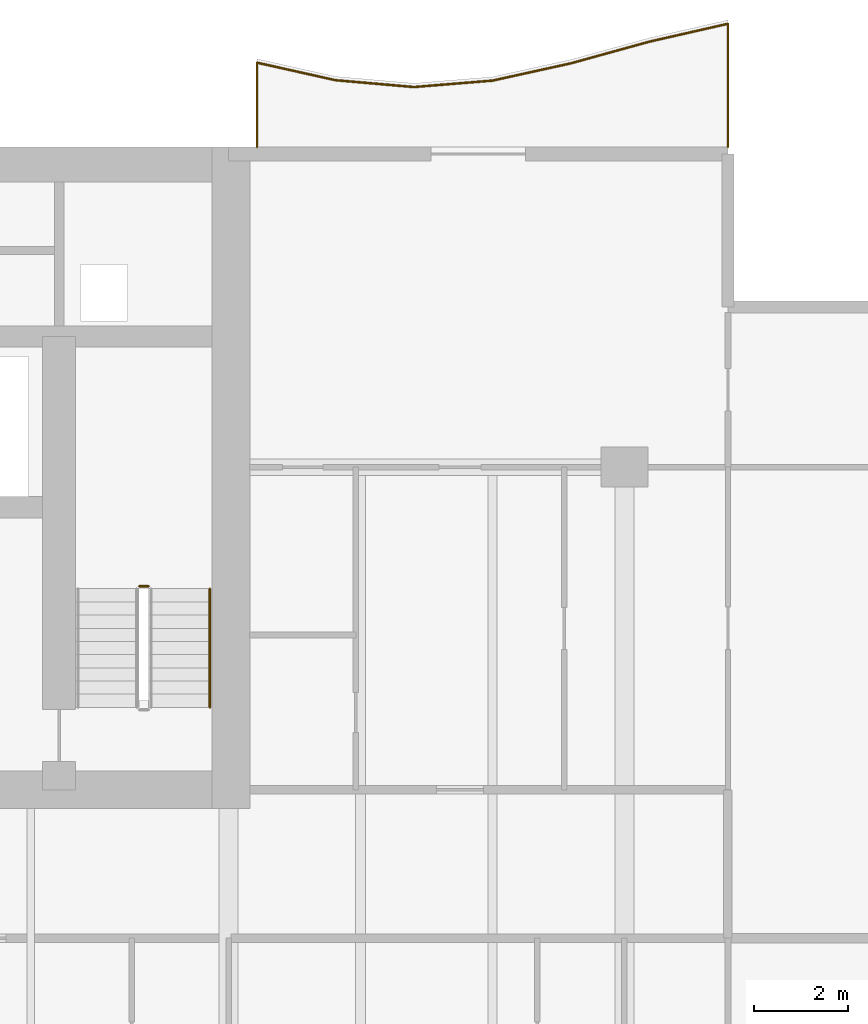
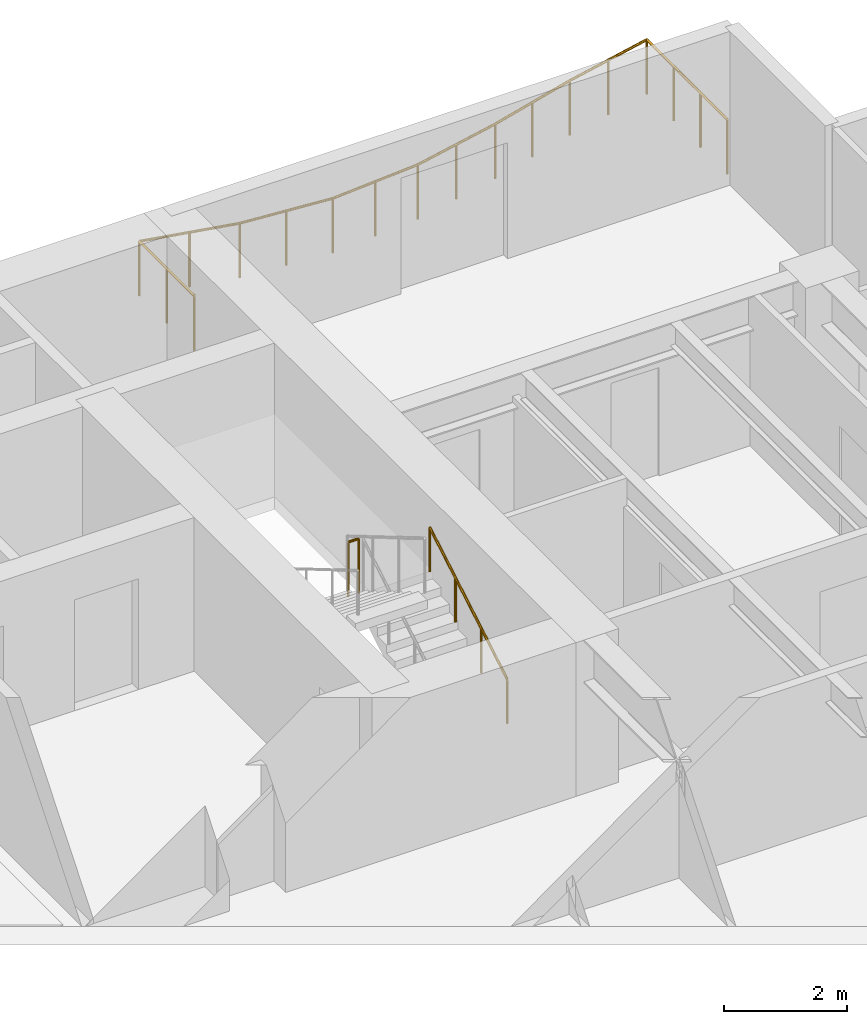
# One storey, part 18 of 19: 3 railings.
"""IFC4 building model written with IfcOpenShell, lengths in metres."""

from ifc_helpers import new_model, si_unit, direction, frame, origin, origin_2d, place, context, subcontext, project, spatial, circle, extrude, material, type_object, element, save


model = new_model("IFC4")

# Units and contexts
model_context = context("Model", 3, precision=1e-05, world=origin(), true_north=direction((0.0, 1.0)))
body_context = subcontext(model_context, "Body", "Model", "MODEL_VIEW")
ifc_project = project(units=[si_unit("LENGTHUNIT", "METRE"), si_unit("AREAUNIT", "SQUARE_METRE"), si_unit("VOLUMEUNIT", "CUBIC_METRE"), si_unit("PLANEANGLEUNIT", "RADIAN"), si_unit("MASSUNIT", "GRAM", prefix="KILO")], contexts=[model_context])

# Site, building, storey
site_placement = place(None, origin())
site = spatial("IfcSite", under=ifc_project, at=site_placement, CompositionType="ELEMENT")
building_placement = place(site_placement, origin())
building = spatial("IfcBuilding", under=site, at=building_placement, Name="Caelmar Bay Residences", CompositionType="ELEMENT")
storey_placement = place(building_placement, frame((0.0, 0.0, 91.199951171875)))
storey = spatial("IfcBuildingStorey", under=building, at=storey_placement, Name="L24", CompositionType="ELEMENT", Elevation=91.199951171875)

# Railings
ifc_material_1 = material(Name="Anodised bronze handrail with laminated hurricane glass infill", Category="glass")
railing_type_1 = type_object("IfcRailingType", Name="RL-BAL-1100", PredefinedType="BALUSTRADE", material=ifc_material_1)
railing_1_placement = place(storey_placement, frame((70.10009765625, 50.60009765625, 0.0)))
element("IfcRailing", 1, at=railing_1_placement, inside=storey, type_object=railing_type_1, Name="L24 north_east Balcony Balustrade", PredefinedType="BALUSTRADE", context=body_context, shape_type="SweptSolid", body=[
    extrude(circle(Radius=0.02392578125, at=origin_2d()), frame((0.0, 0.0, 1.076171875), z_axis=(0.0, 1.0, 0.0), x_axis=(-1.0, 0.0, 0.0)), (0.0, 0.0, 1.0), 2.61328125),
    extrude(circle(Radius=0.02392578125, at=origin_2d()), frame((0.0, 2.61328125, 1.076171875), z_axis=(-0.97505844271, -0.22194826717, 0.0), x_axis=(0.22194826717, -0.97505844271, 0.0)), (0.0, 0.0, 1.0), 1.70947265625),
    extrude(circle(Radius=0.02392578125, at=origin_2d()), frame((-1.666748046875, 2.23388671875, 1.076171875), z_axis=(-0.963967650546, -0.266019489326, 0.0), x_axis=(0.266019489326, -0.963967650546, 0.0)), (0.0, 0.0, 1.0), 1.72900390625),
    extrude(circle(Radius=0.02392578125, at=origin_2d()), frame((-3.33349609375, 1.77392578125, 1.076171875), z_axis=(-0.97654589597, -0.215309342724, 0.0), x_axis=(0.215309342724, -0.97654589597, 0.0)), (0.0, 0.0, 1.0), 1.70654296875),
    extrude(circle(Radius=0.02392578125, at=origin_2d()), frame((-5.0, 1.406494140625, 1.076171875), z_axis=(-0.996664532496, -0.081607656901, 0.0), x_axis=(0.081607656901, -0.996664532496, 0.0)), (0.0, 0.0, 1.0), 1.67236328125),
    extrude(circle(Radius=0.02392578125, at=origin_2d()), frame((-6.666748046875, 1.27001953125, 1.076171875), z_axis=(-0.99622359479, 0.08682481894, 0.0), x_axis=(-0.08682481894, -0.99622359479, 0.0)), (0.0, 0.0, 1.0), 1.673095703125),
    extrude(circle(Radius=0.02392578125, at=origin_2d()), frame((-8.33349609375, 1.415283203125, 1.076171875), z_axis=(-0.975879974699, 0.21830775291, 0.0), x_axis=(-0.21830775291, -0.975879974699, 0.0)), (0.0, 0.0, 1.0), 1.707763671875),
    extrude(circle(Radius=0.02392578125, at=origin_2d()), frame((-10.0, 1.7880859375, 1.076171875), z_axis=(0.0, -1.0, 0.0), x_axis=(1.0, 0.0, 0.0)), (0.0, 0.0, 1.0), 1.7880859375),
    extrude(circle(Radius=0.02099609375, at=origin_2d()), origin(), (0.0, 0.0, 1.0), 1.052001953125),
    extrude(circle(Radius=0.02099609375, at=origin_2d()), frame((0.0, 0.87109375, 0.0)), (0.0, 0.0, 1.0), 1.052001953125),
    extrude(circle(Radius=0.02099609375, at=origin_2d()), frame((0.0, 1.7421875, 0.0)), (0.0, 0.0, 1.0), 1.052001953125),
    extrude(circle(Radius=0.02099609375, at=origin_2d()), frame((0.0, 2.61328125, 0.0)), (0.0, 0.0, 1.0), 1.052001953125),
    extrude(circle(Radius=0.02099609375, at=origin_2d()), frame((-0.83349609375, 2.423583984375, 0.0)), (0.0, 0.0, 1.0), 1.052001953125),
    extrude(circle(Radius=0.02099609375, at=origin_2d()), frame((-1.666748046875, 2.23388671875, 0.0)), (0.0, 0.0, 1.0), 1.052001953125),
    extrude(circle(Radius=0.02099609375, at=origin_2d()), frame((-2.5, 2.00390625, 0.0)), (0.0, 0.0, 1.0), 1.052001953125),
    extrude(circle(Radius=0.02099609375, at=origin_2d()), frame((-3.33349609375, 1.77392578125, 0.0)), (0.0, 0.0, 1.0), 1.052001953125),
    extrude(circle(Radius=0.02099609375, at=origin_2d()), frame((-4.166748046875, 1.59033203125, 0.0)), (0.0, 0.0, 1.0), 1.052001953125),
    extrude(circle(Radius=0.02099609375, at=origin_2d()), frame((-5.0, 1.406494140625, 0.0)), (0.0, 0.0, 1.0), 1.052001953125),
    extrude(circle(Radius=0.02099609375, at=origin_2d()), frame((-5.83349609375, 1.33837890625, 0.0)), (0.0, 0.0, 1.0), 1.052001953125),
    extrude(circle(Radius=0.02099609375, at=origin_2d()), frame((-6.666748046875, 1.27001953125, 0.0)), (0.0, 0.0, 1.0), 1.052001953125),
    extrude(circle(Radius=0.02099609375, at=origin_2d()), frame((-7.5, 1.3427734375, 0.0)), (0.0, 0.0, 1.0), 1.052001953125),
    extrude(circle(Radius=0.02099609375, at=origin_2d()), frame((-8.33349609375, 1.415283203125, 0.0)), (0.0, 0.0, 1.0), 1.052001953125),
    extrude(circle(Radius=0.02099609375, at=origin_2d()), frame((-9.166748046875, 1.6015625, 0.0)), (0.0, 0.0, 1.0), 1.052001953125),
    extrude(circle(Radius=0.02099609375, at=origin_2d()), frame((-10.0, 1.7880859375, 0.0)), (0.0, 0.0, 1.0), 1.052001953125),
    extrude(circle(Radius=0.02099609375, at=origin_2d()), frame((-10.0, 0.89404296875, 0.0)), (0.0, 0.0, 1.0), 1.052001953125),
    extrude(circle(Radius=0.02099609375, at=origin_2d()), frame((-10.0, 0.0, 0.0)), (0.0, 0.0, 1.0), 1.052001953125),
])
ifc_material_2 = material(Name="Painted galvanized steel stair guard 1100 mm", Category="steel")
railing_type_2 = type_object("IfcRailingType", Name="RL-GRD-1100", PredefinedType="GUARDRAIL", material=ifc_material_2)
railing_2_placement = place(storey_placement, frame((57.800048828125, 41.27001953125, 1.650146484375)))
element("IfcRailing", 2, at=railing_2_placement, inside=storey, type_object=railing_type_2, Name="L24 ST2 stair guard 2", PredefinedType="GUARDRAIL", context=body_context, shape_type="SweptSolid", body=[
    extrude(circle(Radius=0.02392578125, at=origin_2d()), frame((0.0, 0.0, 1.076171875), z_axis=(-1.0, 0.0, 0.0), x_axis=(0.0, -1.0, 0.0)), (0.0, 0.0, 1.0), 0.199951171875),
    extrude(circle(Radius=0.02099609375, at=origin_2d()), origin(), (0.0, 0.0, 1.0), 1.052001953125),
    extrude(circle(Radius=0.02099609375, at=origin_2d()), frame((-0.199951171875, 0.0, 0.0)), (0.0, 0.0, 1.0), 1.052001953125),
])
ifc_material_3 = material(Name="Brushed bronze stainless-steel tubular handrail 900 mm", Category="steel")
railing_type_3 = type_object("IfcRailingType", Name="RL-HND-900", PredefinedType="HANDRAIL", material=ifc_material_3)
railing_3_placement = place(storey_placement, frame((59.10009765625, 38.699951171875, 0.1650390625)))
element("IfcRailing", 3, at=railing_3_placement, inside=storey, type_object=railing_type_3, Name="L24 ST2 stair handrail 1", PredefinedType="HANDRAIL", context=body_context, shape_type="SweptSolid", body=[
    extrude(circle(Radius=0.02392578125, at=origin_2d()), frame((0.0, 0.0, 0.8759765625), z_axis=(0.0, 0.86152411907, 0.507716645641), x_axis=(-1.0, 0.0, 0.0)), (0.0, 0.0, 1.0), 2.925048828125),
    extrude(circle(Radius=0.02099609375, at=origin_2d()), origin(), (0.0, 0.0, 1.0), 0.851806640625),
    extrude(circle(Radius=0.02099609375, at=origin_2d()), frame((0.0, 0.840087890625, 0.4951171875)), (0.0, 0.0, 1.0), 0.851806640625),
    extrude(circle(Radius=0.02099609375, at=origin_2d()), frame((0.0, 1.679931640625, 0.989990234375)), (0.0, 0.0, 1.0), 0.851806640625),
    extrude(circle(Radius=0.02099609375, at=origin_2d()), frame((0.0, 2.52001953125, 1.485107421875)), (0.0, 0.0, 1.0), 0.851806640625),
])

save(model, "model.ifc")
